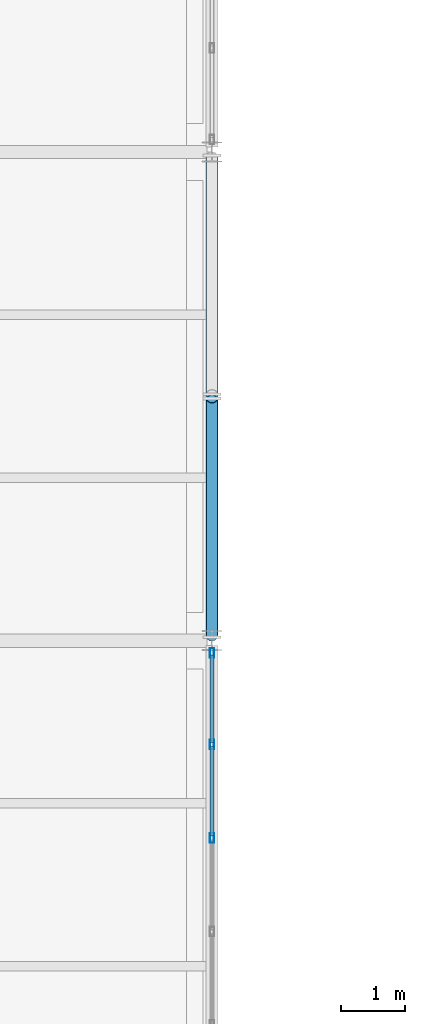
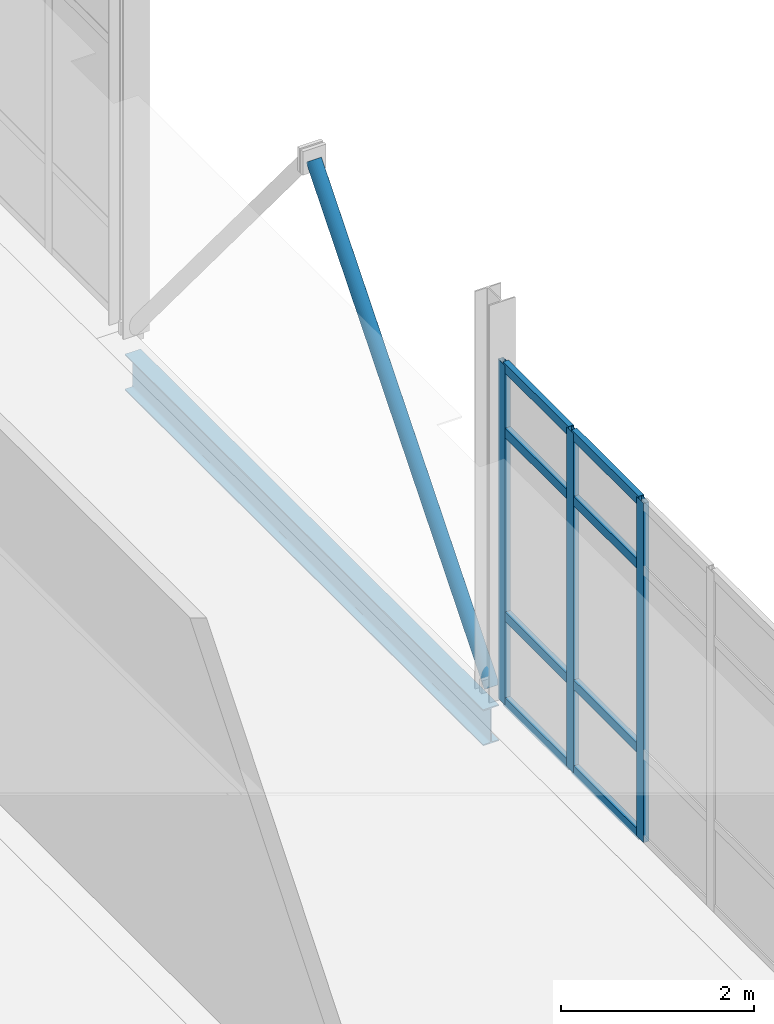
# One storey, part 113 of 161: 12 members, 1 beam, 1 element without a shape of its own.
"""IFC4 building model written with IfcOpenShell, lengths in metres."""

from ifc_helpers import new_model, si_unit, direction, frame, origin, origin_2d, place, context, subcontext, project, spatial, hollow_rectangle, hollow_circle, i_section, extrude, material, material_profile, profile_set, type_object, element, aggregate, save


model = new_model("IFC4")

# Units and contexts
model_context = context("Model", 3, precision=1e-05, world=origin(), true_north=direction((0.0, 1.0)))
body_context = subcontext(model_context, "Body", "Model", "MODEL_VIEW")
ifc_project = project(units=[si_unit("LENGTHUNIT", "METRE"), si_unit("AREAUNIT", "SQUARE_METRE"), si_unit("VOLUMEUNIT", "CUBIC_METRE"), si_unit("PLANEANGLEUNIT", "RADIAN"), si_unit("MASSUNIT", "GRAM", prefix="KILO")], contexts=[model_context])

# Site, building, storey
site_placement = place(None, origin())
site = spatial("IfcSite", under=ifc_project, at=site_placement, CompositionType="ELEMENT")
building_placement = place(site_placement, origin())
building = spatial("IfcBuilding", under=site, at=building_placement, Name="Caisbarro Railhouse Central Library", CompositionType="ELEMENT")
storey_placement = place(building_placement, origin())
storey = spatial("IfcBuildingStorey", under=building, at=storey_placement, Name="L00", CompositionType="ELEMENT", Elevation=0.0)

# Beam
ifc_material_1 = material(Name="Steel ASTM A572 Grade 50", Category="steel")
ifc_material_profile_1 = material_profile(ifc_material_1, i_section(OverallWidth=0.18994140625, OverallDepth=0.45703125, WebThickness=0.009033203125, FlangeThickness=0.014404296875, FilletRadius=0.01806640625, at=origin_2d()), Name="W460X74.0")
ifc_profile_set_1 = profile_set([ifc_material_profile_1], Name="Steel ASTM A572 Grade 50")
beam_type = type_object("IfcBeamType", Name="BM-G08", PredefinedType="BEAM", material=ifc_profile_set_1)
beam_placement = place(storey_placement, frame((153.0, 76.080078125, -0.478515625), z_axis=(0.0, 1.0, 0.0), x_axis=(-1.0, 0.0, 0.0)))
element("IfcBeam", 1, at=beam_placement, inside=storey, type_object=beam_type, Name="G08 beam L00 #552", PredefinedType="BEAM", context=body_context, shape_type="SweptSolid", body=[
    extrude(i_section(OverallWidth=0.18994140625, OverallDepth=0.45703125, WebThickness=0.009033203125, FlangeThickness=0.014404296875, FilletRadius=0.01806640625, at=origin_2d()), origin(), (0.0, 0.0, 1.0), 7.43994140625),
])

# Curtain wall, members
ifc_material_2 = material(Name="Anodised architectural aluminium", Category="aluminium")
curtain_wall_type = type_object("IfcCurtainWallType", Name="CW-CW03", PredefinedType="NOTDEFINED", material=ifc_material_2)
curtain_wall_placement = place(storey_placement, origin())
curtain_wall = element("IfcCurtainWall", 2, at=curtain_wall_placement, inside=storey, type_object=curtain_wall_type, Name="CW03 curtain wall L00 #107", PredefinedType="NOTDEFINED")
ifc_material_profile_2 = material_profile(ifc_material_2, hollow_rectangle(XDim=0.06494140625, YDim=0.14990234375, WallThickness=0.00390625, at=origin_2d()), Name="ALU-MUL-65X150")
ifc_profile_set_2 = profile_set([ifc_material_profile_2], Name="Anodised architectural aluminium")
member_type_1 = type_object("IfcMemberType", Name="CWM-M02", PredefinedType="MULLION", material=ifc_profile_set_2)
member_1_placement = place(storey_placement, frame((153.0, 72.927978515625, 0.0), z_axis=(0.0, 0.0, 1.0), x_axis=(-1.0, 0.0, 0.0)))
member_1 = element("IfcMember", 3, at=member_1_placement, type_object=member_type_1, Name="CW03 mullion 4", PredefinedType="MULLION", context=body_context, shape_type="SweptSolid", body=[
    extrude(hollow_rectangle(XDim=0.06494140625, YDim=0.14990234375, WallThickness=0.00390625, at=origin_2d()), origin(), (0.0, 0.0, 1.0), 4.300048828125),
])
member_2_placement = place(storey_placement, frame((153.0, 74.384033203125, 0.0), z_axis=(0.0, 0.0, 1.0), x_axis=(-1.0, 0.0, 0.0)))
member_2 = element("IfcMember", 4, at=member_2_placement, type_object=member_type_1, Name="CW03 mullion 5", PredefinedType="MULLION", context=body_context, shape_type="SweptSolid", body=[
    extrude(hollow_rectangle(XDim=0.06494140625, YDim=0.14990234375, WallThickness=0.00390625, at=origin_2d()), origin(), (0.0, 0.0, 1.0), 4.300048828125),
])
member_3_placement = place(storey_placement, frame((153.0, 75.8076171875, 0.0), z_axis=(0.0, 0.0, 1.0), x_axis=(-1.0, 0.0, 0.0)))
member_3 = element("IfcMember", 5, at=member_3_placement, type_object=member_type_1, Name="CW03 mullion 6", PredefinedType="MULLION", context=body_context, shape_type="SweptSolid", body=[
    extrude(hollow_rectangle(XDim=0.06494140625, YDim=0.14990234375, WallThickness=0.00390625, at=origin_2d()), origin(), (0.0, 0.0, 1.0), 4.300048828125),
])
ifc_material_profile_3 = material_profile(ifc_material_2, hollow_rectangle(XDim=0.06494140625, YDim=0.1201171875, WallThickness=0.00341796875, at=origin_2d()), Name="ALU-TRN-65X120")
ifc_profile_set_3 = profile_set([ifc_material_profile_3], Name="Anodised architectural aluminium")
member_type_2 = type_object("IfcMemberType", Name="CWT-T02", PredefinedType="USERDEFINED", material=ifc_profile_set_3)
member_4_placement = place(storey_placement, frame((153.0, 72.96044921875, 0.032470703125), z_axis=(0.0, 1.0, 0.0), x_axis=(-1.0, 0.0, 0.0)))
member_4 = element("IfcMember", 6, at=member_4_placement, type_object=member_type_2, Name="CW03 transom 4.1", ObjectType="TRANSOM", PredefinedType="USERDEFINED", context=body_context, shape_type="SweptSolid", body=[
    extrude(hollow_rectangle(XDim=0.06494140625, YDim=0.1201171875, WallThickness=0.00341796875, at=origin_2d()), origin(), (0.0, 0.0, 1.0), 1.39111328125),
])
member_5_placement = place(storey_placement, frame((153.0, 72.96044921875, 1.1201171875), z_axis=(0.0, 1.0, 0.0), x_axis=(-1.0, 0.0, 0.0)))
member_5 = element("IfcMember", 7, at=member_5_placement, type_object=member_type_2, Name="CW03 transom 4.2", ObjectType="TRANSOM", PredefinedType="USERDEFINED", context=body_context, shape_type="SweptSolid", body=[
    extrude(hollow_rectangle(XDim=0.06494140625, YDim=0.1201171875, WallThickness=0.00341796875, at=origin_2d()), origin(), (0.0, 0.0, 1.0), 1.39111328125),
])
member_6_placement = place(storey_placement, frame((153.0, 72.96044921875, 3.449951171875), z_axis=(0.0, 1.0, 0.0), x_axis=(-1.0, 0.0, 0.0)))
member_6 = element("IfcMember", 8, at=member_6_placement, type_object=member_type_2, Name="CW03 transom 4.3", ObjectType="TRANSOM", PredefinedType="USERDEFINED", context=body_context, shape_type="SweptSolid", body=[
    extrude(hollow_rectangle(XDim=0.06494140625, YDim=0.1201171875, WallThickness=0.00341796875, at=origin_2d()), origin(), (0.0, 0.0, 1.0), 1.39111328125),
])
member_7_placement = place(storey_placement, frame((153.0, 72.96044921875, 4.267578125), z_axis=(0.0, 1.0, 0.0), x_axis=(-1.0, 0.0, 0.0)))
member_7 = element("IfcMember", 9, at=member_7_placement, type_object=member_type_2, Name="CW03 transom 4.4", ObjectType="TRANSOM", PredefinedType="USERDEFINED", context=body_context, shape_type="SweptSolid", body=[
    extrude(hollow_rectangle(XDim=0.06494140625, YDim=0.1201171875, WallThickness=0.00341796875, at=origin_2d()), origin(), (0.0, 0.0, 1.0), 1.39111328125),
])
member_8_placement = place(storey_placement, frame((153.0, 74.41650390625, 0.032470703125), z_axis=(0.0, 1.0, 0.0), x_axis=(-1.0, 0.0, 0.0)))
member_8 = element("IfcMember", 10, at=member_8_placement, type_object=member_type_2, Name="CW03 transom 5.1", ObjectType="TRANSOM", PredefinedType="USERDEFINED", context=body_context, shape_type="SweptSolid", body=[
    extrude(hollow_rectangle(XDim=0.06494140625, YDim=0.1201171875, WallThickness=0.00341796875, at=origin_2d()), origin(), (0.0, 0.0, 1.0), 1.3583984375),
])
member_9_placement = place(storey_placement, frame((153.0, 74.41650390625, 1.1201171875), z_axis=(0.0, 1.0, 0.0), x_axis=(-1.0, 0.0, 0.0)))
member_9 = element("IfcMember", 11, at=member_9_placement, type_object=member_type_2, Name="CW03 transom 5.2", ObjectType="TRANSOM", PredefinedType="USERDEFINED", context=body_context, shape_type="SweptSolid", body=[
    extrude(hollow_rectangle(XDim=0.06494140625, YDim=0.1201171875, WallThickness=0.00341796875, at=origin_2d()), origin(), (0.0, 0.0, 1.0), 1.3583984375),
])
member_10_placement = place(storey_placement, frame((153.0, 74.41650390625, 3.449951171875), z_axis=(0.0, 1.0, 0.0), x_axis=(-1.0, 0.0, 0.0)))
member_10 = element("IfcMember", 12, at=member_10_placement, type_object=member_type_2, Name="CW03 transom 5.3", ObjectType="TRANSOM", PredefinedType="USERDEFINED", context=body_context, shape_type="SweptSolid", body=[
    extrude(hollow_rectangle(XDim=0.06494140625, YDim=0.1201171875, WallThickness=0.00341796875, at=origin_2d()), origin(), (0.0, 0.0, 1.0), 1.3583984375),
])
member_11_placement = place(storey_placement, frame((153.0, 74.41650390625, 4.267578125), z_axis=(0.0, 1.0, 0.0), x_axis=(-1.0, 0.0, 0.0)))
member_11 = element("IfcMember", 13, at=member_11_placement, type_object=member_type_2, Name="CW03 transom 5.4", ObjectType="TRANSOM", PredefinedType="USERDEFINED", context=body_context, shape_type="SweptSolid", body=[
    extrude(hollow_rectangle(XDim=0.06494140625, YDim=0.1201171875, WallThickness=0.00341796875, at=origin_2d()), origin(), (0.0, 0.0, 1.0), 1.3583984375),
])
aggregate(curtain_wall, [member_1, member_2, member_3, member_4, member_5, member_6, member_7, member_8, member_9, member_10, member_11])

# Member
ifc_material_profile_4 = material_profile(ifc_material_1, hollow_circle(Radius=0.084228515625, WallThickness=0.008056640625, at=origin_2d()), Name="CHS168.3X8")
ifc_profile_set_4 = profile_set([ifc_material_profile_4], Name="Steel ASTM A572 Grade 50")
member_type_3 = type_object("IfcMemberType", Name="MEM-BR04", PredefinedType="BRACE", material=ifc_profile_set_4)
member_12_placement = place(storey_placement, frame((153.0, 76.06005859375, 0.02001953125), z_axis=(0.0, 0.640184399664, 0.768221279597), x_axis=(-1.0, 0.0, 0.0)))
element("IfcMember", 14, at=member_12_placement, inside=storey, type_object=member_type_3, Name="BR04 chevron brace X153 L00.1", PredefinedType="BRACE", context=body_context, shape_type="SweptSolid", body=[
    extrude(hollow_circle(Radius=0.084228515625, WallThickness=0.008056640625, at=origin_2d()), origin(), (0.0, 0.0, 1.0), 5.779541015625),
])

save(model, "model.ifc")
